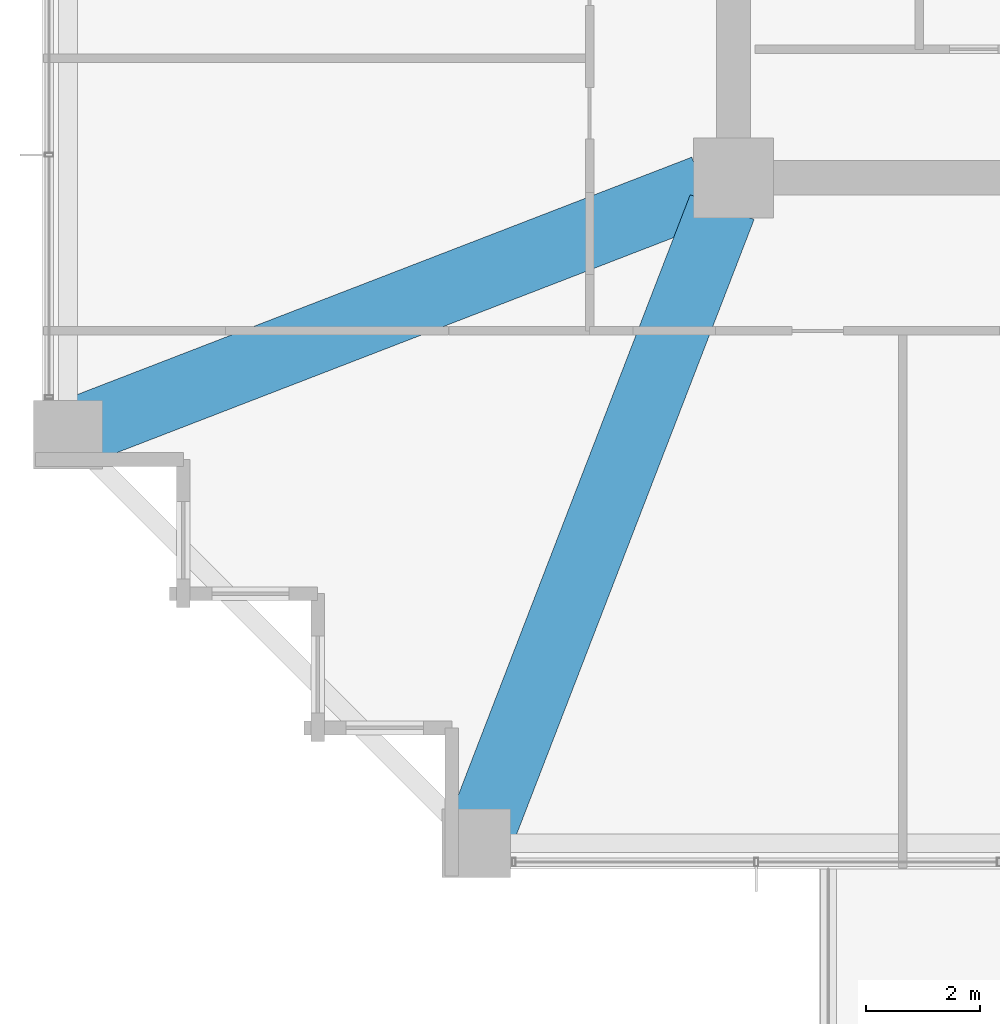
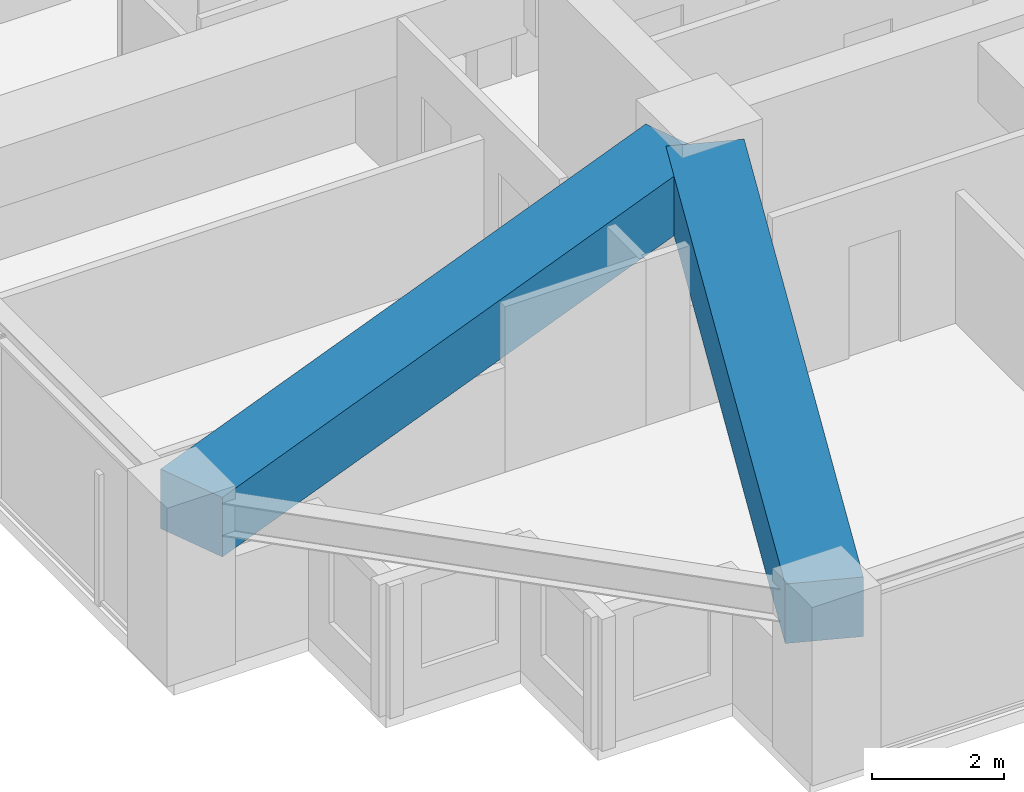
# One storey, part 4 of 37: 2 beams.
"""IFC4 building model written with IfcOpenShell, lengths in metres."""

from ifc_helpers import new_model, si_unit, direction, frame, origin, origin_2d, place, context, subcontext, project, spatial, rectangle, extrude, material, material_profile, profile_set, type_object, element, save


model = new_model("IFC4")

# Units and contexts
model_context = context("Model", 3, precision=1e-05, world=origin(), true_north=direction((0.0, 1.0)))
body_context = subcontext(model_context, "Body", "Model", "MODEL_VIEW")
ifc_project = project(units=[si_unit("LENGTHUNIT", "METRE"), si_unit("AREAUNIT", "SQUARE_METRE"), si_unit("VOLUMEUNIT", "CUBIC_METRE"), si_unit("PLANEANGLEUNIT", "RADIAN"), si_unit("MASSUNIT", "GRAM", prefix="KILO")], contexts=[model_context])

# Site, building, storey
site_placement = place(None, origin())
site = spatial("IfcSite", under=ifc_project, at=site_placement, CompositionType="ELEMENT")
building_placement = place(site_placement, origin())
building = spatial("IfcBuilding", under=site, at=building_placement, Name="Kolvaren Belvedere", CompositionType="ELEMENT")
storey_placement = place(building_placement, frame((0.0, 0.0, 37.0)))
storey = spatial("IfcBuildingStorey", under=building, at=storey_placement, Name="L10", CompositionType="ELEMENT", Elevation=37.0)

# Beams
ifc_material = material(Name="Concrete C50/60", Category="concrete")
ifc_material_profile = material_profile(ifc_material, rectangle(XDim=1.199951171875, YDim=1.10009765625, at=origin_2d()), Name="RC 1200X1100")
ifc_profile_set = profile_set([ifc_material_profile], Name="Concrete C50/60")
beam_type = type_object("IfcBeamType", Name="BM-TG-1100", PredefinedType="BEAM", material=ifc_profile_set)
for number, where, z_axis, x_axis, name in (
    (1, (-10.09814453125, -10.4130859375, 2.510009765625), (-0.360318391835, -0.932829382313, 0.0), (0.932829382313, -0.360318391835, 0.0), "L10 Corner Core-to-Perimeter Girder CC1-S1"),
    (2, (-10.4130859375, -10.09814453125, 2.510009765625), (-0.932829382313, -0.360318391835, 0.0), (0.360318391835, -0.932829382313, 0.0), "L10 Corner Core-to-Perimeter Girder CC1-W1"),
):
    element("IfcBeam", number, at=place(storey_placement, frame(where, z_axis=z_axis, x_axis=x_axis)), inside=storey, type_object=beam_type, Name=name, PredefinedType="BEAM", context=body_context, shape_type="SweptSolid", body=[
        extrude(rectangle(XDim=1.199951171875, YDim=1.10009765625, at=origin_2d()), origin(), (0.0, 0.0, 1.0), 11.698974609375),
    ])

save(model, "model.ifc")
